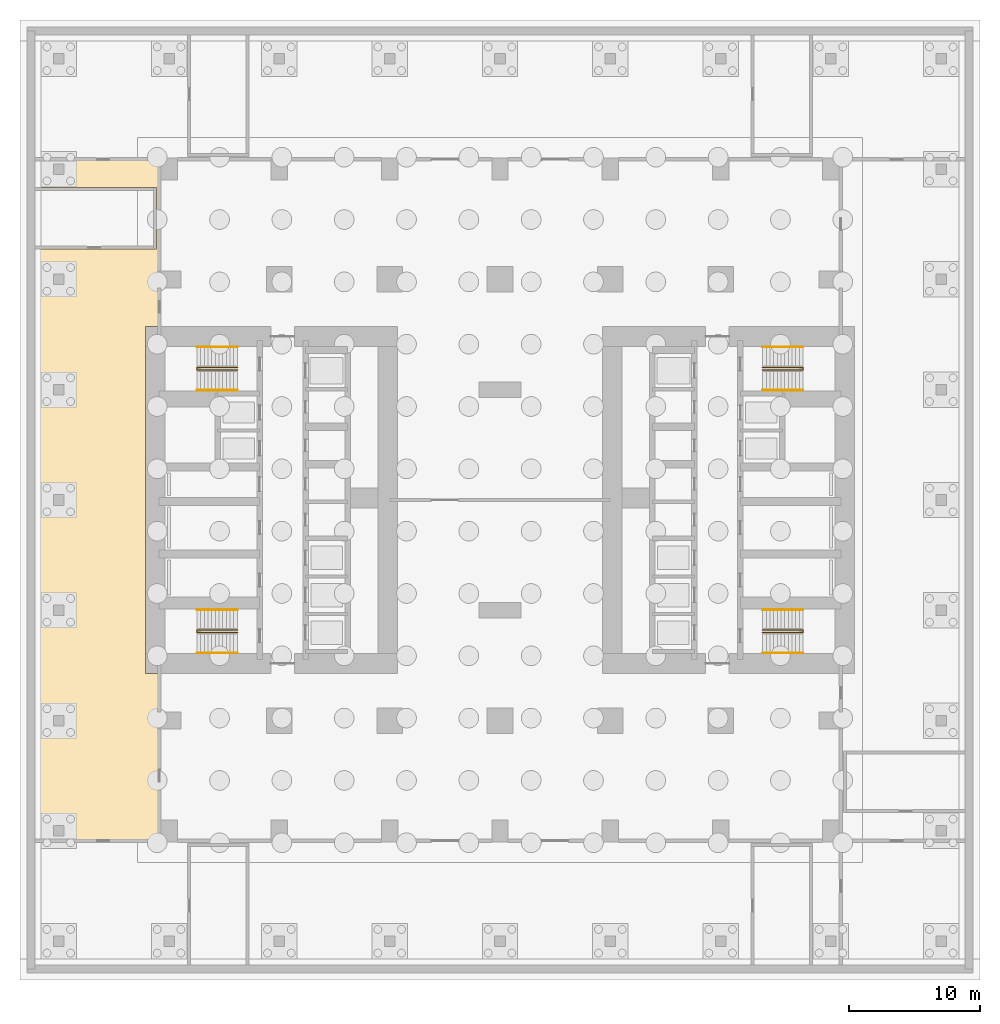
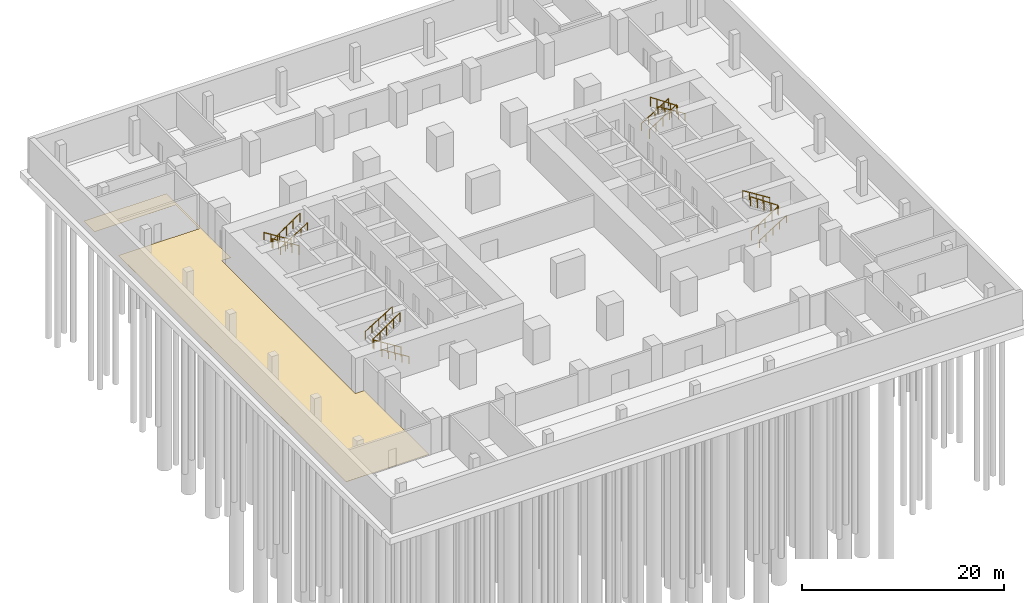
# One storey, part 10 of 11: 12 railings, 1 covering.
"""IFC4 building model written with IfcOpenShell, lengths in metres."""

from ifc_helpers import new_model, si_unit, direction, frame, origin, origin_2d, place, context, subcontext, project, spatial, polyline, circle, outline, extrude, material, layer, layer_set, type_object, element, save


model = new_model("IFC4")

# Units and contexts
model_context = context("Model", 3, precision=1e-05, world=origin(), true_north=direction((0.0, 1.0)))
body_context = subcontext(model_context, "Body", "Model", "MODEL_VIEW")
ifc_project = project(units=[si_unit("LENGTHUNIT", "METRE"), si_unit("AREAUNIT", "SQUARE_METRE"), si_unit("VOLUMEUNIT", "CUBIC_METRE"), si_unit("PLANEANGLEUNIT", "RADIAN"), si_unit("MASSUNIT", "GRAM", prefix="KILO")], contexts=[model_context])

# Site, building, storey
site_placement = place(None, origin())
site = spatial("IfcSite", under=ifc_project, at=site_placement, CompositionType="ELEMENT")
building_placement = place(site_placement, origin())
building = spatial("IfcBuilding", under=site, at=building_placement, Name="Claustro Exchange Tower", CompositionType="ELEMENT")
storey_placement = place(building_placement, frame((0.0, 0.0, -8.39990234375)))
storey = spatial("IfcBuildingStorey", under=building, at=storey_placement, Name="B2", CompositionType="ELEMENT", Elevation=-8.39990234375)

# Covering
ifc_material_1 = material(Name="Epoxy resin floor finish", Category="resin")
ifc_layer = layer(ifc_material_1, 0.006103515625)
ifc_layer_set = layer_set([ifc_layer], Name="Epoxy resin floor finish")
covering_type = type_object("IfcCoveringType", Name="FL2 resin plant room floor", PredefinedType="FLOORING", material=ifc_layer_set)
covering_placement = place(storey_placement, origin())
element("IfcCovering", 1, at=covering_placement, inside=storey, type_object=covering_type, Name="Resin floor FL2 B2-07", PredefinedType="FLOORING", context=body_context, shape_type="SweptSolid", body=[
    extrude(outline(polyline([(-0.949951171875, 49.0), (-0.949951171875, 44.300048828125), (-10.199951171875, 44.300048828125), (-10.199951171875, -0.75), (-0.75, -0.75), (-0.75, 12.0), (-1.800048828125, 12.0), (-1.800048828125, 12.75), (-1.800048828125, 13.5), (-1.800048828125, 36.89990234375), (-1.800048828125, 37.64990234375), (-1.800048828125, 38.39990234375), (-0.75, 38.39990234375), (-0.75, 51.14990234375), (-10.199951171875, 51.14990234375), (-10.199951171875, 49.0), (-0.949951171875, 49.0)])), origin(), (0.0, 0.0, 1.0), 0.005859375),
])

# Railings
ifc_material_2 = material(Name="Steel balustrade, painted", Category="steel")
railing_type_1 = type_object("IfcRailingType", Name="GR2 1100 steel stair guard", PredefinedType="GUARDRAIL", material=ifc_material_2)
railing_1_placement = place(storey_placement, frame((5.199951171875, 15.10009765625, 0.1748046875)))
element("IfcRailing", 2, at=railing_1_placement, inside=storey, type_object=railing_type_1, Name="Stair well guard GR2 stair STWA B2", PredefinedType="GUARDRAIL", context=body_context, shape_type="SweptSolid", body=[
    extrude(circle(Radius=0.02392578125, at=origin_2d()), frame((0.0, 0.0, 1.076171875), z_axis=(-0.847979421464, 0.0, 0.530029150871), x_axis=(0.0, -1.0, 0.0)), (0.0, 0.0, 1.0), 3.632080078125),
    extrude(circle(Radius=0.02392578125, at=origin_2d()), frame((-3.079833984375, 0.0, 3.0009765625), z_axis=(0.0, 1.0, 0.0), x_axis=(-1.0, 0.0, 0.0)), (0.0, 0.0, 1.0), 0.199951171875),
    extrude(circle(Radius=0.02392578125, at=origin_2d()), frame((-3.079833984375, 0.199951171875, 3.0009765625), z_axis=(0.826201015165, 0.0, 0.563375436579), x_axis=(0.0, 1.0, 0.0)), (0.0, 0.0, 1.0), 3.727783203125),
    extrude(circle(Radius=0.02099609375, at=origin_2d()), origin(), (0.0, 0.0, 1.0), 1.052001953125),
    extrude(circle(Radius=0.02099609375, at=origin_2d()), frame((-0.77001953125, 0.0, 0.481201171875)), (0.0, 0.0, 1.0), 1.052001953125),
    extrude(circle(Radius=0.02099609375, at=origin_2d()), frame((-1.5400390625, 0.0, 0.96240234375)), (0.0, 0.0, 1.0), 1.052001953125),
    extrude(circle(Radius=0.02099609375, at=origin_2d()), frame((-2.309814453125, 0.0, 1.44384765625)), (0.0, 0.0, 1.0), 1.052001953125),
    extrude(circle(Radius=0.02099609375, at=origin_2d()), frame((-3.079833984375, 0.0, 1.925048828125)), (0.0, 0.0, 1.0), 1.052001953125),
    extrude(circle(Radius=0.02099609375, at=origin_2d()), frame((-3.079833984375, 0.199951171875, 1.925048828125)), (0.0, 0.0, 1.0), 1.052001953125),
    extrude(circle(Radius=0.02099609375, at=origin_2d()), frame((-2.309814453125, 0.199951171875, 2.4501953125)), (0.0, 0.0, 1.0), 1.052001953125),
    extrude(circle(Radius=0.02099609375, at=origin_2d()), frame((-1.5400390625, 0.199951171875, 2.97509765625)), (0.0, 0.0, 1.0), 1.052001953125),
    extrude(circle(Radius=0.02099609375, at=origin_2d()), frame((-0.77001953125, 0.199951171875, 3.5)), (0.0, 0.0, 1.0), 1.052001953125),
    extrude(circle(Radius=0.02099609375, at=origin_2d()), frame((0.0, 0.199951171875, 4.025146484375)), (0.0, 0.0, 1.0), 1.052001953125),
])
railing_2_placement = place(storey_placement, frame((5.199951171875, 35.300048828125, 0.1748046875)))
element("IfcRailing", 3, at=railing_2_placement, inside=storey, type_object=railing_type_1, Name="Stair well guard GR2 stair STWB B2", PredefinedType="GUARDRAIL", context=body_context, shape_type="SweptSolid", body=[
    extrude(circle(Radius=0.02392578125, at=origin_2d()), frame((0.0, 0.0, 1.076171875), z_axis=(-0.847979421464, 0.0, 0.530029150871), x_axis=(0.0, -1.0, 0.0)), (0.0, 0.0, 1.0), 3.632080078125),
    extrude(circle(Radius=0.02392578125, at=origin_2d()), frame((-3.079833984375, 0.0, 3.0009765625), z_axis=(0.0, -1.0, 0.0), x_axis=(1.0, 0.0, 0.0)), (0.0, 0.0, 1.0), 0.199951171875),
    extrude(circle(Radius=0.02392578125, at=origin_2d()), frame((-3.079833984375, -0.199951171875, 3.0009765625), z_axis=(0.826201015165, 0.0, 0.563375436579), x_axis=(0.0, 1.0, 0.0)), (0.0, 0.0, 1.0), 3.727783203125),
    extrude(circle(Radius=0.02099609375, at=origin_2d()), origin(), (0.0, 0.0, 1.0), 1.052001953125),
    extrude(circle(Radius=0.02099609375, at=origin_2d()), frame((-0.77001953125, 0.0, 0.481201171875)), (0.0, 0.0, 1.0), 1.052001953125),
    extrude(circle(Radius=0.02099609375, at=origin_2d()), frame((-1.5400390625, 0.0, 0.96240234375)), (0.0, 0.0, 1.0), 1.052001953125),
    extrude(circle(Radius=0.02099609375, at=origin_2d()), frame((-2.309814453125, 0.0, 1.44384765625)), (0.0, 0.0, 1.0), 1.052001953125),
    extrude(circle(Radius=0.02099609375, at=origin_2d()), frame((-3.079833984375, 0.0, 1.925048828125)), (0.0, 0.0, 1.0), 1.052001953125),
    extrude(circle(Radius=0.02099609375, at=origin_2d()), frame((-3.079833984375, -0.199951171875, 1.925048828125)), (0.0, 0.0, 1.0), 1.052001953125),
    extrude(circle(Radius=0.02099609375, at=origin_2d()), frame((-2.309814453125, -0.199951171875, 2.4501953125)), (0.0, 0.0, 1.0), 1.052001953125),
    extrude(circle(Radius=0.02099609375, at=origin_2d()), frame((-1.5400390625, -0.199951171875, 2.97509765625)), (0.0, 0.0, 1.0), 1.052001953125),
    extrude(circle(Radius=0.02099609375, at=origin_2d()), frame((-0.77001953125, -0.199951171875, 3.5)), (0.0, 0.0, 1.0), 1.052001953125),
    extrude(circle(Radius=0.02099609375, at=origin_2d()), frame((0.0, -0.199951171875, 4.025146484375)), (0.0, 0.0, 1.0), 1.052001953125),
])
railing_3_placement = place(storey_placement, frame((45.199951171875, 15.10009765625, 0.1748046875)))
element("IfcRailing", 4, at=railing_3_placement, inside=storey, type_object=railing_type_1, Name="Stair well guard GR2 stair STEA B2", PredefinedType="GUARDRAIL", context=body_context, shape_type="SweptSolid", body=[
    extrude(circle(Radius=0.02392578125, at=origin_2d()), frame((0.0, 0.0, 1.076171875), z_axis=(0.847998304005, 0.0, 0.529998940003), x_axis=(0.0, 1.0, 0.0)), (0.0, 0.0, 1.0), 3.632080078125),
    extrude(circle(Radius=0.02392578125, at=origin_2d()), frame((3.080078125, 0.0, 3.0009765625), z_axis=(0.0, 1.0, 0.0), x_axis=(-1.0, 0.0, 0.0)), (0.0, 0.0, 1.0), 0.199951171875),
    extrude(circle(Radius=0.02392578125, at=origin_2d()), frame((3.080078125, 0.199951171875, 3.0009765625), z_axis=(-0.826221800596, 0.0, 0.563344953133), x_axis=(0.0, -1.0, 0.0)), (0.0, 0.0, 1.0), 3.72802734375),
    extrude(circle(Radius=0.02099609375, at=origin_2d()), origin(), (0.0, 0.0, 1.0), 1.052001953125),
    extrude(circle(Radius=0.02099609375, at=origin_2d()), frame((0.77001953125, 0.0, 0.481201171875)), (0.0, 0.0, 1.0), 1.052001953125),
    extrude(circle(Radius=0.02099609375, at=origin_2d()), frame((1.5400390625, 0.0, 0.96240234375)), (0.0, 0.0, 1.0), 1.052001953125),
    extrude(circle(Radius=0.02099609375, at=origin_2d()), frame((2.31005859375, 0.0, 1.44384765625)), (0.0, 0.0, 1.0), 1.052001953125),
    extrude(circle(Radius=0.02099609375, at=origin_2d()), frame((3.080078125, 0.0, 1.925048828125)), (0.0, 0.0, 1.0), 1.052001953125),
    extrude(circle(Radius=0.02099609375, at=origin_2d()), frame((3.080078125, 0.199951171875, 1.925048828125)), (0.0, 0.0, 1.0), 1.052001953125),
    extrude(circle(Radius=0.02099609375, at=origin_2d()), frame((2.31005859375, 0.199951171875, 2.4501953125)), (0.0, 0.0, 1.0), 1.052001953125),
    extrude(circle(Radius=0.02099609375, at=origin_2d()), frame((1.5400390625, 0.199951171875, 2.97509765625)), (0.0, 0.0, 1.0), 1.052001953125),
    extrude(circle(Radius=0.02099609375, at=origin_2d()), frame((0.77001953125, 0.199951171875, 3.5)), (0.0, 0.0, 1.0), 1.052001953125),
    extrude(circle(Radius=0.02099609375, at=origin_2d()), frame((0.0, 0.199951171875, 4.025146484375)), (0.0, 0.0, 1.0), 1.052001953125),
])
railing_4_placement = place(storey_placement, frame((45.199951171875, 35.300048828125, 0.1748046875)))
element("IfcRailing", 5, at=railing_4_placement, inside=storey, type_object=railing_type_1, Name="Stair well guard GR2 stair STEB B2", PredefinedType="GUARDRAIL", context=body_context, shape_type="SweptSolid", body=[
    extrude(circle(Radius=0.02392578125, at=origin_2d()), frame((0.0, 0.0, 1.076171875), z_axis=(0.847998304005, 0.0, 0.529998940003), x_axis=(0.0, 1.0, 0.0)), (0.0, 0.0, 1.0), 3.632080078125),
    extrude(circle(Radius=0.02392578125, at=origin_2d()), frame((3.080078125, 0.0, 3.0009765625), z_axis=(0.0, -1.0, 0.0), x_axis=(1.0, 0.0, 0.0)), (0.0, 0.0, 1.0), 0.199951171875),
    extrude(circle(Radius=0.02392578125, at=origin_2d()), frame((3.080078125, -0.199951171875, 3.0009765625), z_axis=(-0.826221800596, 0.0, 0.563344953133), x_axis=(0.0, -1.0, 0.0)), (0.0, 0.0, 1.0), 3.72802734375),
    extrude(circle(Radius=0.02099609375, at=origin_2d()), origin(), (0.0, 0.0, 1.0), 1.052001953125),
    extrude(circle(Radius=0.02099609375, at=origin_2d()), frame((0.77001953125, 0.0, 0.481201171875)), (0.0, 0.0, 1.0), 1.052001953125),
    extrude(circle(Radius=0.02099609375, at=origin_2d()), frame((1.5400390625, 0.0, 0.96240234375)), (0.0, 0.0, 1.0), 1.052001953125),
    extrude(circle(Radius=0.02099609375, at=origin_2d()), frame((2.31005859375, 0.0, 1.44384765625)), (0.0, 0.0, 1.0), 1.052001953125),
    extrude(circle(Radius=0.02099609375, at=origin_2d()), frame((3.080078125, 0.0, 1.925048828125)), (0.0, 0.0, 1.0), 1.052001953125),
    extrude(circle(Radius=0.02099609375, at=origin_2d()), frame((3.080078125, -0.199951171875, 1.925048828125)), (0.0, 0.0, 1.0), 1.052001953125),
    extrude(circle(Radius=0.02099609375, at=origin_2d()), frame((2.31005859375, -0.199951171875, 2.4501953125)), (0.0, 0.0, 1.0), 1.052001953125),
    extrude(circle(Radius=0.02099609375, at=origin_2d()), frame((1.5400390625, -0.199951171875, 2.97509765625)), (0.0, 0.0, 1.0), 1.052001953125),
    extrude(circle(Radius=0.02099609375, at=origin_2d()), frame((0.77001953125, -0.199951171875, 3.5)), (0.0, 0.0, 1.0), 1.052001953125),
    extrude(circle(Radius=0.02099609375, at=origin_2d()), frame((0.0, -0.199951171875, 4.025146484375)), (0.0, 0.0, 1.0), 1.052001953125),
])
ifc_material_3 = material(Name="Stainless steel tube", Category="steel")
railing_type_2 = type_object("IfcRailingType", Name="HR1 900 stair handrail", PredefinedType="HANDRAIL", material=ifc_material_3)
railing_5_placement = place(storey_placement, frame((5.199951171875, 13.56005859375, 0.1748046875)))
element("IfcRailing", 6, at=railing_5_placement, inside=storey, type_object=railing_type_2, Name="Handrail HR1 stair STWA B2", PredefinedType="HANDRAIL", context=body_context, shape_type="SweptSolid", body=[
    extrude(circle(Radius=0.02392578125, at=origin_2d()), frame((0.0, 0.0, 0.8759765625), z_axis=(-0.847979421464, 0.0, 0.530029150871), x_axis=(0.0, -1.0, 0.0)), (0.0, 0.0, 1.0), 3.632080078125),
    extrude(circle(Radius=0.02099609375, at=origin_2d()), origin(), (0.0, 0.0, 1.0), 0.851806640625),
    extrude(circle(Radius=0.02099609375, at=origin_2d()), frame((-0.77001953125, 0.0, 0.481201171875)), (0.0, 0.0, 1.0), 0.851806640625),
    extrude(circle(Radius=0.02099609375, at=origin_2d()), frame((-1.5400390625, 0.0, 0.96240234375)), (0.0, 0.0, 1.0), 0.851806640625),
    extrude(circle(Radius=0.02099609375, at=origin_2d()), frame((-2.309814453125, 0.0, 1.44384765625)), (0.0, 0.0, 1.0), 0.851806640625),
    extrude(circle(Radius=0.02099609375, at=origin_2d()), frame((-3.079833984375, 0.0, 1.925048828125)), (0.0, 0.0, 1.0), 0.851806640625),
])
railing_6_placement = place(storey_placement, frame((2.1201171875, 16.840087890625, 2.27490234375)))
element("IfcRailing", 7, at=railing_6_placement, inside=storey, type_object=railing_type_2, Name="Handrail HR1 stair STWA B2", PredefinedType="HANDRAIL", context=body_context, shape_type="SweptSolid", body=[
    extrude(circle(Radius=0.02392578125, at=origin_2d()), frame((0.0, 0.0, 0.8759765625), z_axis=(0.847979421464, 0.0, 0.530029150871), x_axis=(0.0, 1.0, 0.0)), (0.0, 0.0, 1.0), 3.632080078125),
    extrude(circle(Radius=0.02099609375, at=origin_2d()), origin(), (0.0, 0.0, 1.0), 0.851806640625),
    extrude(circle(Radius=0.02099609375, at=origin_2d()), frame((0.77001953125, 0.0, 0.481201171875)), (0.0, 0.0, 1.0), 0.851806640625),
    extrude(circle(Radius=0.02099609375, at=origin_2d()), frame((1.5400390625, 0.0, 0.96240234375)), (0.0, 0.0, 1.0), 0.851806640625),
    extrude(circle(Radius=0.02099609375, at=origin_2d()), frame((2.309814453125, 0.0, 1.44384765625)), (0.0, 0.0, 1.0), 0.851806640625),
    extrude(circle(Radius=0.02099609375, at=origin_2d()), frame((3.079833984375, 0.0, 1.925048828125)), (0.0, 0.0, 1.0), 0.851806640625),
])
railing_7_placement = place(storey_placement, frame((5.199951171875, 36.840087890625, 0.1748046875)))
element("IfcRailing", 8, at=railing_7_placement, inside=storey, type_object=railing_type_2, Name="Handrail HR1 stair STWB B2", PredefinedType="HANDRAIL", context=body_context, shape_type="SweptSolid", body=[
    extrude(circle(Radius=0.02392578125, at=origin_2d()), frame((0.0, 0.0, 0.8759765625), z_axis=(-0.847979421464, 0.0, 0.530029150871), x_axis=(0.0, -1.0, 0.0)), (0.0, 0.0, 1.0), 3.632080078125),
    extrude(circle(Radius=0.02099609375, at=origin_2d()), origin(), (0.0, 0.0, 1.0), 0.851806640625),
    extrude(circle(Radius=0.02099609375, at=origin_2d()), frame((-0.77001953125, 0.0, 0.481201171875)), (0.0, 0.0, 1.0), 0.851806640625),
    extrude(circle(Radius=0.02099609375, at=origin_2d()), frame((-1.5400390625, 0.0, 0.96240234375)), (0.0, 0.0, 1.0), 0.851806640625),
    extrude(circle(Radius=0.02099609375, at=origin_2d()), frame((-2.309814453125, 0.0, 1.44384765625)), (0.0, 0.0, 1.0), 0.851806640625),
    extrude(circle(Radius=0.02099609375, at=origin_2d()), frame((-3.079833984375, 0.0, 1.925048828125)), (0.0, 0.0, 1.0), 0.851806640625),
])
railing_8_placement = place(storey_placement, frame((2.1201171875, 33.56005859375, 2.27490234375)))
element("IfcRailing", 9, at=railing_8_placement, inside=storey, type_object=railing_type_2, Name="Handrail HR1 stair STWB B2", PredefinedType="HANDRAIL", context=body_context, shape_type="SweptSolid", body=[
    extrude(circle(Radius=0.02392578125, at=origin_2d()), frame((0.0, 0.0, 0.8759765625), z_axis=(0.847979421464, 0.0, 0.530029150871), x_axis=(0.0, 1.0, 0.0)), (0.0, 0.0, 1.0), 3.632080078125),
    extrude(circle(Radius=0.02099609375, at=origin_2d()), origin(), (0.0, 0.0, 1.0), 0.851806640625),
    extrude(circle(Radius=0.02099609375, at=origin_2d()), frame((0.77001953125, 0.0, 0.481201171875)), (0.0, 0.0, 1.0), 0.851806640625),
    extrude(circle(Radius=0.02099609375, at=origin_2d()), frame((1.5400390625, 0.0, 0.96240234375)), (0.0, 0.0, 1.0), 0.851806640625),
    extrude(circle(Radius=0.02099609375, at=origin_2d()), frame((2.309814453125, 0.0, 1.44384765625)), (0.0, 0.0, 1.0), 0.851806640625),
    extrude(circle(Radius=0.02099609375, at=origin_2d()), frame((3.079833984375, 0.0, 1.925048828125)), (0.0, 0.0, 1.0), 0.851806640625),
])
railing_9_placement = place(storey_placement, frame((45.199951171875, 13.56005859375, 0.1748046875)))
element("IfcRailing", 10, at=railing_9_placement, inside=storey, type_object=railing_type_2, Name="Handrail HR1 stair STEA B2", PredefinedType="HANDRAIL", context=body_context, shape_type="SweptSolid", body=[
    extrude(circle(Radius=0.02392578125, at=origin_2d()), frame((0.0, 0.0, 0.8759765625), z_axis=(0.847998304005, 0.0, 0.529998940003), x_axis=(0.0, 1.0, 0.0)), (0.0, 0.0, 1.0), 3.632080078125),
    extrude(circle(Radius=0.02099609375, at=origin_2d()), origin(), (0.0, 0.0, 1.0), 0.851806640625),
    extrude(circle(Radius=0.02099609375, at=origin_2d()), frame((0.77001953125, 0.0, 0.481201171875)), (0.0, 0.0, 1.0), 0.851806640625),
    extrude(circle(Radius=0.02099609375, at=origin_2d()), frame((1.5400390625, 0.0, 0.96240234375)), (0.0, 0.0, 1.0), 0.851806640625),
    extrude(circle(Radius=0.02099609375, at=origin_2d()), frame((2.31005859375, 0.0, 1.44384765625)), (0.0, 0.0, 1.0), 0.851806640625),
    extrude(circle(Radius=0.02099609375, at=origin_2d()), frame((3.080078125, 0.0, 1.925048828125)), (0.0, 0.0, 1.0), 0.851806640625),
])
railing_10_placement = place(storey_placement, frame((48.280029296875, 16.840087890625, 2.27490234375)))
element("IfcRailing", 11, at=railing_10_placement, inside=storey, type_object=railing_type_2, Name="Handrail HR1 stair STEA B2", PredefinedType="HANDRAIL", context=body_context, shape_type="SweptSolid", body=[
    extrude(circle(Radius=0.02392578125, at=origin_2d()), frame((0.0, 0.0, 0.8759765625), z_axis=(-0.847998304005, 0.0, 0.529998940003), x_axis=(0.0, -1.0, 0.0)), (0.0, 0.0, 1.0), 3.632080078125),
    extrude(circle(Radius=0.02099609375, at=origin_2d()), origin(), (0.0, 0.0, 1.0), 0.851806640625),
    extrude(circle(Radius=0.02099609375, at=origin_2d()), frame((-0.77001953125, 0.0, 0.481201171875)), (0.0, 0.0, 1.0), 0.851806640625),
    extrude(circle(Radius=0.02099609375, at=origin_2d()), frame((-1.5400390625, 0.0, 0.96240234375)), (0.0, 0.0, 1.0), 0.851806640625),
    extrude(circle(Radius=0.02099609375, at=origin_2d()), frame((-2.31005859375, 0.0, 1.44384765625)), (0.0, 0.0, 1.0), 0.851806640625),
    extrude(circle(Radius=0.02099609375, at=origin_2d()), frame((-3.080078125, 0.0, 1.925048828125)), (0.0, 0.0, 1.0), 0.851806640625),
])
railing_11_placement = place(storey_placement, frame((45.199951171875, 36.840087890625, 0.1748046875)))
element("IfcRailing", 12, at=railing_11_placement, inside=storey, type_object=railing_type_2, Name="Handrail HR1 stair STEB B2", PredefinedType="HANDRAIL", context=body_context, shape_type="SweptSolid", body=[
    extrude(circle(Radius=0.02392578125, at=origin_2d()), frame((0.0, 0.0, 0.8759765625), z_axis=(0.847998304005, 0.0, 0.529998940003), x_axis=(0.0, 1.0, 0.0)), (0.0, 0.0, 1.0), 3.632080078125),
    extrude(circle(Radius=0.02099609375, at=origin_2d()), origin(), (0.0, 0.0, 1.0), 0.851806640625),
    extrude(circle(Radius=0.02099609375, at=origin_2d()), frame((0.77001953125, 0.0, 0.481201171875)), (0.0, 0.0, 1.0), 0.851806640625),
    extrude(circle(Radius=0.02099609375, at=origin_2d()), frame((1.5400390625, 0.0, 0.96240234375)), (0.0, 0.0, 1.0), 0.851806640625),
    extrude(circle(Radius=0.02099609375, at=origin_2d()), frame((2.31005859375, 0.0, 1.44384765625)), (0.0, 0.0, 1.0), 0.851806640625),
    extrude(circle(Radius=0.02099609375, at=origin_2d()), frame((3.080078125, 0.0, 1.925048828125)), (0.0, 0.0, 1.0), 0.851806640625),
])
railing_12_placement = place(storey_placement, frame((48.280029296875, 33.56005859375, 2.27490234375)))
element("IfcRailing", 13, at=railing_12_placement, inside=storey, type_object=railing_type_2, Name="Handrail HR1 stair STEB B2", PredefinedType="HANDRAIL", context=body_context, shape_type="SweptSolid", body=[
    extrude(circle(Radius=0.02392578125, at=origin_2d()), frame((0.0, 0.0, 0.8759765625), z_axis=(-0.847998304005, 0.0, 0.529998940003), x_axis=(0.0, -1.0, 0.0)), (0.0, 0.0, 1.0), 3.632080078125),
    extrude(circle(Radius=0.02099609375, at=origin_2d()), origin(), (0.0, 0.0, 1.0), 0.851806640625),
    extrude(circle(Radius=0.02099609375, at=origin_2d()), frame((-0.77001953125, 0.0, 0.481201171875)), (0.0, 0.0, 1.0), 0.851806640625),
    extrude(circle(Radius=0.02099609375, at=origin_2d()), frame((-1.5400390625, 0.0, 0.96240234375)), (0.0, 0.0, 1.0), 0.851806640625),
    extrude(circle(Radius=0.02099609375, at=origin_2d()), frame((-2.31005859375, 0.0, 1.44384765625)), (0.0, 0.0, 1.0), 0.851806640625),
    extrude(circle(Radius=0.02099609375, at=origin_2d()), frame((-3.080078125, 0.0, 1.925048828125)), (0.0, 0.0, 1.0), 0.851806640625),
])

save(model, "model.ifc")
